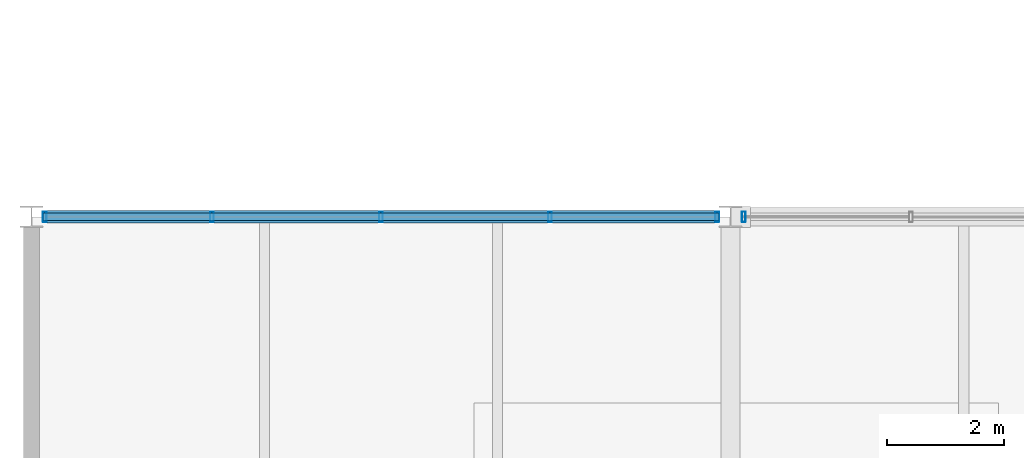
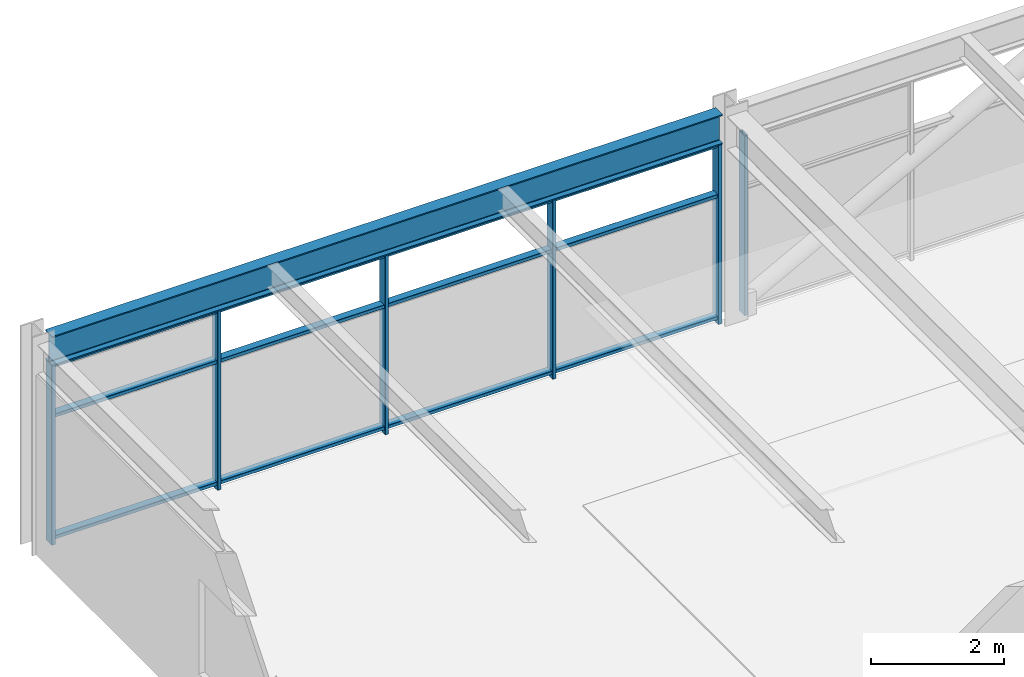
# One storey, part 17 of 49: 9 members, 1 beam, 2 elements without a shape of their own.
"""IFC4 building model written with IfcOpenShell, lengths in metres."""

import ifcopenshell
import ifcopenshell.guid

model = None  # the IFC model being written
_history = None  # IfcOwnerHistory: only IFC2X3 demands one
_inside = {}  # id of a spatial element -> (the spatial element, [elements in it])
_under = {}  # id of a project, library or spatial element -> (it, [spatial elements below it])
_declared = {}  # id of a project -> (the project, [libraries it declares])
_typed = {}  # id of a type object -> (the type object, [elements of that type])
_made_of = {}  # id of a material, layer set ... -> (it, [elements and type objects made of it])


def new_model(schema):
    """Start an empty IFC model of exactly this schema.

    Asked for "IFC4X3", IfcOpenShell would pick the latest addendum, in which some entities
    have other attributes; the version numbers below select the first issue.
    IFC2X3 requires an IfcOwnerHistory on every rooted entity: one is made here for all.
    """
    global model, _history
    if schema == "IFC4X3":
        model = ifcopenshell.file(schema_version=(4, 3, 0, 0))
    else:
        model = ifcopenshell.file(schema=schema)
    _inside.clear()
    _under.clear()
    _declared.clear()
    _typed.clear()
    _made_of.clear()
    _history = None
    if model.schema == "IFC2X3":
        org = make("IfcOrganization", Name="unknown")
        user = make(
            "IfcPersonAndOrganization",
            ThePerson=make("IfcPerson", FamilyName="unknown"),
            TheOrganization=org,
        )
        app = make(
            "IfcApplication",
            ApplicationDeveloper=org,
            Version="unknown",
            ApplicationFullName="unknown",
            ApplicationIdentifier="unknown",
        )
        _history = make(
            "IfcOwnerHistory",
            OwningUser=user,
            OwningApplication=app,
            ChangeAction="ADDED",
            CreationDate=0,
        )
    return model


def make(cls, **values):
    """One entity of the class cls with the attributes given. An attribute that is None is left unset."""
    return model.create_entity(
        cls, **{name: value for name, value in values.items() if value is not None}
    )


def rooted(cls, **values):
    """An entity with a GlobalId (a new one), such as an element, a storey or a relation."""
    return make(cls, GlobalId=ifcopenshell.guid.new(), OwnerHistory=_history, **values)


def si_unit(unit_type, name, prefix=None):
    """IfcSIUnit, for example si_unit("LENGTHUNIT", "METRE", prefix="MILLI")."""
    return make("IfcSIUnit", UnitType=unit_type, Prefix=prefix, Name=name)


def assignment(units):
    """IfcUnitAssignment: the units of a project."""
    return None if units is None else make("IfcUnitAssignment", Units=units)


def point(xyz):
    """IfcCartesianPoint."""
    return None if xyz is None else make("IfcCartesianPoint", Coordinates=xyz)


def direction(xyz):
    """IfcDirection."""
    return None if xyz is None else make("IfcDirection", DirectionRatios=xyz)


def frame(location, z_axis=None, x_axis=None):
    """IfcAxis2Placement3D, a coordinate frame: its origin and axes. An axis left out is left unset."""
    return make(
        "IfcAxis2Placement3D",
        Location=point(location),
        Axis=direction(z_axis),
        RefDirection=direction(x_axis),
    )


def frame_2d(location, x_axis=None):
    """IfcAxis2Placement2D, a coordinate frame in the plane: its origin and x axis."""
    return make(
        "IfcAxis2Placement2D", Location=point(location), RefDirection=direction(x_axis)
    )


def origin():
    """The frame at (0, 0, 0) with its axes left unset."""
    return frame((0.0, 0.0, 0.0))


def origin_2d():
    """The frame at (0, 0) in the plane with its x axis left unset."""
    return frame_2d((0.0, 0.0))


def place(relative_to, where):
    """IfcLocalPlacement: puts the frame where relative to a parent placement (None: the world)."""
    return make(
        "IfcLocalPlacement", PlacementRelTo=relative_to, RelativePlacement=where
    )


def context(
    kind, dimensions, precision=None, world=None, true_north=None, identifier=None
):
    """IfcGeometricRepresentationContext, for example the 3D "Model" context."""
    return make(
        "IfcGeometricRepresentationContext",
        ContextIdentifier=identifier,
        ContextType=kind,
        CoordinateSpaceDimension=dimensions,
        Precision=precision,
        WorldCoordinateSystem=world,
        TrueNorth=true_north,
    )


def subcontext(parent, identifier, kind, view, scale=None):
    """IfcGeometricRepresentationSubContext, for example "Body" below "Model"."""
    return make(
        "IfcGeometricRepresentationSubContext",
        ContextIdentifier=identifier,
        ContextType=kind,
        ParentContext=parent,
        TargetScale=scale,
        TargetView=view,
    )


def project(units=None, contexts=None):
    """IfcProject with its units and contexts."""
    return rooted(
        "IfcProject",
        Name="project",
        RepresentationContexts=contexts,
        UnitsInContext=assignment(units),
    )


def spatial(cls, under=None, at=None, **own):
    """A site, building, storey or space (cls), placed at a placement, below another one or the project."""
    s = rooted(cls, ObjectPlacement=at, **own)
    if under is not None:
        _under.setdefault(under.id(), (under, []))[1].append(s)
    return s


def profile(cls, at=None, kind="AREA", **sizes):
    """A parametric profile (cls). Its sizes go by their IFC names, for example OverallWidth=200.0."""
    return make(cls, ProfileType=kind, Position=at, **sizes)


def hollow_rectangle(**sizes):
    """IfcRectangleHollowProfileDef."""
    return profile("IfcRectangleHollowProfileDef", **sizes)


def i_section(**sizes):
    """IfcIShapeProfileDef."""
    return profile("IfcIShapeProfileDef", **sizes)


def extrude(swept, where, along, depth):
    """IfcExtrudedAreaSolid: the profile swept, set in the frame where, extruded along a direction by depth."""
    return make(
        "IfcExtrudedAreaSolid",
        SweptArea=swept,
        Position=where,
        ExtrudedDirection=direction(along),
        Depth=depth,
    )


def shape(context_of_items, identifier, shape_type, items):
    """IfcShapeRepresentation: the items that make up one representation, for example the "Body"."""
    return make(
        "IfcShapeRepresentation",
        ContextOfItems=context_of_items,
        RepresentationIdentifier=identifier,
        RepresentationType=shape_type,
        Items=items,
    )


def material(Name=None, Category=None):
    """IfcMaterial."""
    return make("IfcMaterial", Name=Name, Category=Category)


def material_profile(
    of_material, cross_section, Name=None, Category=None, Priority=None
):
    """IfcMaterialProfile: a cross section and its material."""
    return make(
        "IfcMaterialProfile",
        Name=Name,
        Material=of_material,
        Profile=cross_section,
        Priority=Priority,
        Category=Category,
    )


def profile_set(profiles, Name=None, composite=None):
    """IfcMaterialProfileSet."""
    return make(
        "IfcMaterialProfileSet",
        Name=Name,
        MaterialProfiles=profiles,
        CompositeProfile=composite,
    )


def made_of(thing, what):
    """Note that an element or type object is made of a material, layer set ...; save() writes the relation."""
    if what is not None:
        _made_of.setdefault(what.id(), (what, []))[1].append(thing)
    return thing


def type_object(cls, material=None, **own):
    """A type object (cls), such as IfcWallType, which elements share."""
    return made_of(rooted(cls, **own), material)


def element(
    cls,
    number,
    at=None,
    inside=None,
    cuts=None,
    type_object=None,
    material=None,
    context=None,
    identifier="Body",
    shape_type=None,
    held_by="IfcProductDefinitionShape",
    body=None,
    shapes=None,
    **own,
):
    """One element of the class cls, such as IfcWall. Its Tag is "e" and its number.

    at: its placement. inside: the storey or other place that contains it. cuts: it is an
    opening in that element (IfcRelVoidsElement). A single representation is given by context,
    identifier, shape_type and body (its items); several are given by shapes. held_by: the class
    of the entity that holds the representations. save() writes the other relations.
    """
    e = rooted(cls, Tag="e%d" % number, ObjectPlacement=at, **own)
    if body is not None:
        shapes = [shape(context, identifier, shape_type, body)]
    if shapes is not None:
        e.Representation = make(held_by, Representations=shapes)
    if inside is not None:
        _inside.setdefault(inside.id(), (inside, []))[1].append(e)
    if cuts is not None:
        rooted(
            "IfcRelVoidsElement", RelatingBuildingElement=cuts, RelatedOpeningElement=e
        )
    if type_object is not None:
        _typed.setdefault(type_object.id(), (type_object, []))[1].append(e)
    return made_of(e, material)


def aggregate(whole, parts):
    """IfcRelAggregates: a whole, such as a stair, and the parts it consists of."""
    return rooted("IfcRelAggregates", RelatingObject=whole, RelatedObjects=parts)


def save(model, path):
    """Write the relations noted so far, then the file.

    IfcRelAggregates (storeys below a building ...), IfcRelContainedInSpatialStructure (elements
    in a storey), IfcRelDefinesByType, IfcRelAssociatesMaterial and IfcRelDeclares: one each for
    every whole, place, type object, material and project.
    """
    for whole, parts in _under.values():
        aggregate(whole, parts)
    for where, things in _inside.values():
        rooted(
            "IfcRelContainedInSpatialStructure",
            RelatedElements=things,
            RelatingStructure=where,
        )
    for kind, things in _typed.values():
        rooted("IfcRelDefinesByType", RelatedObjects=things, RelatingType=kind)
    for what, things in _made_of.values():
        rooted("IfcRelAssociatesMaterial", RelatedObjects=things, RelatingMaterial=what)
    for by, libraries in _declared.values():
        rooted("IfcRelDeclares", RelatingContext=by, RelatedDefinitions=libraries)
    model.write(path)


model = new_model("IFC4")

# Units and contexts
model_context = context("Model", 3, precision=1e-05, world=origin(), true_north=direction((0.0, 1.0)))
body_context = subcontext(model_context, "Body", "Model", "MODEL_VIEW")
ifc_project = project(units=[si_unit("LENGTHUNIT", "METRE"), si_unit("AREAUNIT", "SQUARE_METRE"), si_unit("VOLUMEUNIT", "CUBIC_METRE"), si_unit("PLANEANGLEUNIT", "RADIAN"), si_unit("MASSUNIT", "GRAM", prefix="KILO")], contexts=[model_context])

# Site, building, storey
site_placement = place(None, origin())
site = spatial("IfcSite", under=ifc_project, at=site_placement, CompositionType="ELEMENT")
building_placement = place(site_placement, origin())
building = spatial("IfcBuilding", under=site, at=building_placement, Name="Girod Span Mobility Hub", CompositionType="ELEMENT")
storey_placement = place(building_placement, frame((0.0, 0.0, 37.60009765625)))
storey = spatial("IfcBuildingStorey", under=building, at=storey_placement, Name="L09", CompositionType="ELEMENT", Elevation=37.60009765625)

# Beam
ifc_material_1 = material(Name="Steel A992 Grade 50", Category="steel")
ifc_material_profile_1 = material_profile(ifc_material_1, i_section(OverallWidth=0.2119140625, OverallDepth=0.5439453125, WebThickness=0.01318359375, FlangeThickness=0.021240234375, FilletRadius=0.014892578125, at=origin_2d()), Name="W21X83")
ifc_profile_set_1 = profile_set([ifc_material_profile_1], Name="Steel A992 Grade 50")
beam_type = type_object("IfcBeamType", Name="BM-STL-W21X83", PredefinedType="SPANDREL", material=ifc_profile_set_1)
beam_placement = place(storey_placement, frame((24.194091796875, 69.0, 3.56298828125), z_axis=(1.0, 0.0, 0.0), x_axis=(0.0, 1.0, 0.0)))
element("IfcBeam", 1, at=beam_placement, inside=storey, type_object=beam_type, Name="Girder 3-4/F L09", PredefinedType="SPANDREL", context=body_context, shape_type="SweptSolid", body=[
    extrude(i_section(OverallWidth=0.2119140625, OverallDepth=0.5439453125, WebThickness=0.01318359375, FlangeThickness=0.021240234375, FilletRadius=0.014892578125, at=origin_2d()), origin(), (0.0, 0.0, 1.0), 11.61181640625),
])

# Curtain wall, members
ifc_material_2 = material(Name="Thermally Broken Anodised Aluminium", Category="aluminium")
curtain_wall_type = type_object("IfcCurtainWallType", Name="CW-1161X329", PredefinedType="USERDEFINED", material=ifc_material_2)
curtain_wall_1_placement = place(storey_placement, origin())
curtain_wall_1 = element("IfcCurtainWall", 2, at=curtain_wall_1_placement, inside=storey, type_object=curtain_wall_type, Name="Unitised Curtain Wall CW-L09-N03 L09", ObjectType="UNITISED CURTAIN WALL", PredefinedType="USERDEFINED")
ifc_material_3 = material(Name="Thermally Broken Anodised Aluminium", Category="aluminium")
ifc_material_profile_2 = material_profile(ifc_material_3, hollow_rectangle(XDim=0.179931640625, YDim=0.06494140625, WallThickness=0.00390625, InnerFilletRadius=0.00390625, OuterFilletRadius=0.008056640625, at=origin_2d()), Name="CW-ML-65X180")
ifc_profile_set_2 = profile_set([ifc_material_profile_2], Name="Thermally Broken Anodised Aluminium")
member_type_1 = type_object("IfcMemberType", Name="CWM-ML-2", PredefinedType="MULLION", material=ifc_profile_set_2)
member_1_placement = place(storey_placement, frame((24.22705078125, 69.0, 0.0), z_axis=(0.0, 0.0, 1.0), x_axis=(0.0, 1.0, 0.0)))
member_1 = element("IfcMember", 3, at=member_1_placement, type_object=member_type_1, Name="Curtain Wall Mullion CW-L09-N03-M0", PredefinedType="MULLION", context=body_context, shape_type="SweptSolid", body=[
    extrude(hollow_rectangle(XDim=0.179931640625, YDim=0.06494140625, WallThickness=0.00390625, InnerFilletRadius=0.00390625, OuterFilletRadius=0.008056640625, at=origin_2d()), origin(), (0.0, 0.0, 1.0), 3.291015625),
])
member_2_placement = place(storey_placement, frame((27.097412109375, 69.0, 0.0), z_axis=(0.0, 0.0, 1.0), x_axis=(0.0, 1.0, 0.0)))
member_2 = element("IfcMember", 4, at=member_2_placement, type_object=member_type_1, Name="Curtain Wall Mullion CW-L09-N03-M1", PredefinedType="MULLION", context=body_context, shape_type="SweptSolid", body=[
    extrude(hollow_rectangle(XDim=0.179931640625, YDim=0.06494140625, WallThickness=0.00390625, InnerFilletRadius=0.00390625, OuterFilletRadius=0.008056640625, at=origin_2d()), origin(), (0.0, 0.0, 1.0), 3.291015625),
])
member_3_placement = place(storey_placement, frame((30.0, 69.0, 0.0), z_axis=(0.0, 0.0, 1.0), x_axis=(0.0, 1.0, 0.0)))
member_3 = element("IfcMember", 5, at=member_3_placement, type_object=member_type_1, Name="Curtain Wall Mullion CW-L09-N03-M2", PredefinedType="MULLION", context=body_context, shape_type="SweptSolid", body=[
    extrude(hollow_rectangle(XDim=0.179931640625, YDim=0.06494140625, WallThickness=0.00390625, InnerFilletRadius=0.00390625, OuterFilletRadius=0.008056640625, at=origin_2d()), origin(), (0.0, 0.0, 1.0), 3.291015625),
])
member_4_placement = place(storey_placement, frame((32.902587890625, 69.0, 0.0), z_axis=(0.0, 0.0, 1.0), x_axis=(0.0, 1.0, 0.0)))
member_4 = element("IfcMember", 6, at=member_4_placement, type_object=member_type_1, Name="Curtain Wall Mullion CW-L09-N03-M3", PredefinedType="MULLION", context=body_context, shape_type="SweptSolid", body=[
    extrude(hollow_rectangle(XDim=0.179931640625, YDim=0.06494140625, WallThickness=0.00390625, InnerFilletRadius=0.00390625, OuterFilletRadius=0.008056640625, at=origin_2d()), origin(), (0.0, 0.0, 1.0), 3.291015625),
])
member_5_placement = place(storey_placement, frame((35.77294921875, 69.0, 0.0), z_axis=(0.0, 0.0, 1.0), x_axis=(0.0, 1.0, 0.0)))
member_5 = element("IfcMember", 7, at=member_5_placement, type_object=member_type_1, Name="Curtain Wall Mullion CW-L09-N03-M4", PredefinedType="MULLION", context=body_context, shape_type="SweptSolid", body=[
    extrude(hollow_rectangle(XDim=0.179931640625, YDim=0.06494140625, WallThickness=0.00390625, InnerFilletRadius=0.00390625, OuterFilletRadius=0.008056640625, at=origin_2d()), origin(), (0.0, 0.0, 1.0), 3.291015625),
])

# Curtain wall, member
curtain_wall_2_placement = place(storey_placement, origin())
curtain_wall_2 = element("IfcCurtainWall", 8, at=curtain_wall_2_placement, inside=storey, type_object=curtain_wall_type, Name="Unitised Curtain Wall CW-L09-N04 L09", ObjectType="UNITISED CURTAIN WALL", PredefinedType="USERDEFINED")
member_6_placement = place(storey_placement, frame((36.22705078125, 69.0, 0.0), z_axis=(0.0, 0.0, 1.0), x_axis=(0.0, 1.0, 0.0)))
member_6 = element("IfcMember", 9, at=member_6_placement, type_object=member_type_1, Name="Curtain Wall Mullion CW-L09-N04-M0", PredefinedType="MULLION", context=body_context, shape_type="SweptSolid", body=[
    extrude(hollow_rectangle(XDim=0.179931640625, YDim=0.06494140625, WallThickness=0.00390625, InnerFilletRadius=0.00390625, OuterFilletRadius=0.008056640625, at=origin_2d()), origin(), (0.0, 0.0, 1.0), 3.291015625),
])
aggregate(curtain_wall_2, [member_6])

# Member
ifc_material_4 = material(Name="Thermally Broken Anodised Aluminium", Category="aluminium")
ifc_material_profile_3 = material_profile(ifc_material_4, hollow_rectangle(XDim=0.135009765625, YDim=0.06494140625, WallThickness=0.00390625, InnerFilletRadius=0.00390625, OuterFilletRadius=0.008056640625, at=origin_2d()), Name="CW-TR-65X135")
ifc_profile_set_3 = profile_set([ifc_material_profile_3], Name="Thermally Broken Anodised Aluminium")
member_type_2 = type_object("IfcMemberType", Name="CWM-TR-2", PredefinedType="USERDEFINED", material=ifc_profile_set_3)
member_7_placement = place(storey_placement, frame((24.195068359375, 69.0, 0.107421875), z_axis=(1.0, 0.0, 0.0), x_axis=(0.0, 1.0, 0.0)))
member_7 = element("IfcMember", 10, at=member_7_placement, type_object=member_type_2, Name="Curtain Wall Transom CW-L09-N03-T1", ObjectType="TRANSOM", PredefinedType="USERDEFINED", context=body_context, shape_type="SweptSolid", body=[
    extrude(hollow_rectangle(XDim=0.135009765625, YDim=0.06494140625, WallThickness=0.00390625, InnerFilletRadius=0.00390625, OuterFilletRadius=0.008056640625, at=origin_2d()), origin(), (0.0, 0.0, 1.0), 11.60986328125),
])

member_8_placement = place(storey_placement, frame((24.195068359375, 69.0, 2.3369140625), z_axis=(1.0, 0.0, 0.0), x_axis=(0.0, 1.0, 0.0)))
member_8 = element("IfcMember", 11, at=member_8_placement, type_object=member_type_2, Name="Curtain Wall Transom CW-L09-N03-T2", ObjectType="TRANSOM", PredefinedType="USERDEFINED", context=body_context, shape_type="SweptSolid", body=[
    extrude(hollow_rectangle(XDim=0.135009765625, YDim=0.06494140625, WallThickness=0.00390625, InnerFilletRadius=0.00390625, OuterFilletRadius=0.008056640625, at=origin_2d()), origin(), (0.0, 0.0, 1.0), 11.60986328125),
])

member_9_placement = place(storey_placement, frame((24.195068359375, 69.0, 3.25830078125), z_axis=(1.0, 0.0, 0.0), x_axis=(0.0, 1.0, 0.0)))
member_9 = element("IfcMember", 12, at=member_9_placement, type_object=member_type_2, Name="Curtain Wall Transom CW-L09-N03-T3", ObjectType="TRANSOM", PredefinedType="USERDEFINED", context=body_context, shape_type="SweptSolid", body=[
    extrude(hollow_rectangle(XDim=0.135009765625, YDim=0.06494140625, WallThickness=0.00390625, InnerFilletRadius=0.00390625, OuterFilletRadius=0.008056640625, at=origin_2d()), origin(), (0.0, 0.0, 1.0), 11.60986328125),
])

aggregate(curtain_wall_1, [member_1, member_2, member_3, member_4, member_5, member_7, member_8, member_9])

save(model, "model.ifc")
